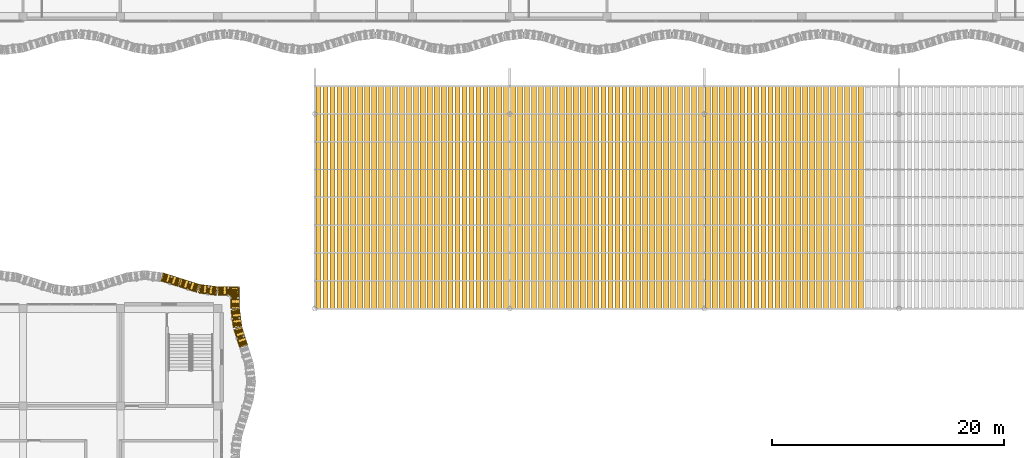
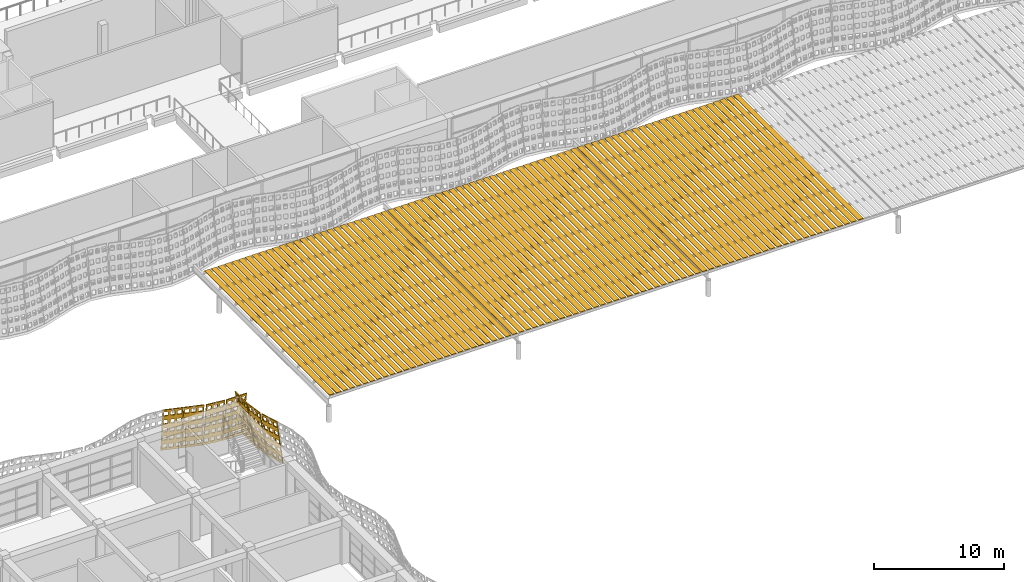
# One storey, part 128 of 162: 79 shading devices, 7 coverings.
"""IFC4 building model written with IfcOpenShell, lengths in metres."""

from ifc_helpers import new_model, si_unit, direction, frame, origin, origin_2d, place, context, subcontext, project, spatial, polyline, rectangle, outline, extrude, material, layer, layer_set, type_object, element, save


model = new_model("IFC4")

# Units and contexts
model_context = context("Model", 3, precision=1e-05, world=origin(), true_north=direction((0.0, 1.0)))
body_context = subcontext(model_context, "Body", "Model", "MODEL_VIEW")
ifc_project = project(units=[si_unit("LENGTHUNIT", "METRE"), si_unit("AREAUNIT", "SQUARE_METRE"), si_unit("VOLUMEUNIT", "CUBIC_METRE"), si_unit("PLANEANGLEUNIT", "RADIAN"), si_unit("MASSUNIT", "GRAM", prefix="KILO")], contexts=[model_context])

# Site, building, storey
site_placement = place(None, origin())
site = spatial("IfcSite", under=ifc_project, at=site_placement, CompositionType="ELEMENT")
building_placement = place(site_placement, origin())
building = spatial("IfcBuilding", under=site, at=building_placement, Name="Rain Tree Exposition and Congress Centre", CompositionType="ELEMENT")
storey_placement = place(building_placement, frame((0.0, 0.0, 6.0)))
storey = spatial("IfcBuildingStorey", under=building, at=storey_placement, Name="L01", CompositionType="ELEMENT", Elevation=6.0)

# Shading devices
ifc_material_1 = material(Name="Terracotta", Category="masonry")
ifc_layer_1 = layer(ifc_material_1, 0.050048828125)
ifc_layer_set_1 = layer_set([ifc_layer_1], Name="Terracotta")
shading_device_type = type_object("IfcShadingDeviceType", Name="Terracotta louvre blade 450x50", PredefinedType="JALOUSIE", material=ifc_layer_set_1)
for number, where, z_axis, x_axis, name in (
    (1, (59.10009765625, 60.0, 2.35009765625), (0.0, 0.0, 1.0), (1.0, 0.0, 0.0), "Canopy louvre 001"),
    (2, (59.699951171875, 60.0, 2.35009765625), (0.0, 0.0, 1.0), (1.0, 0.0, 0.0), "Canopy louvre 002"),
    (3, (60.300048828125, 60.0, 2.35009765625), (0.0, 0.0, 1.0), (1.0, 0.0, 0.0), "Canopy louvre 003"),
    (4, (60.89990234375, 60.0, 2.35009765625), (0.0, 0.0, 1.0), (1.0, 0.0, 0.0), "Canopy louvre 004"),
    (5, (61.5, 60.0, 2.35009765625), (0.0, 0.0, 1.0), (1.0, 0.0, 0.0), "Canopy louvre 005"),
    (6, (62.10009765625, 60.0, 2.35009765625), (0.0, 0.0, 1.0), (1.0, 0.0, 0.0), "Canopy louvre 006"),
    (7, (62.699951171875, 60.0, 2.35009765625), (0.0, 0.0, 1.0), (1.0, 0.0, 0.0), "Canopy louvre 007"),
    (8, (63.300048828125, 60.0, 2.35009765625), (0.0, 0.0, 1.0), (1.0, 0.0, 0.0), "Canopy louvre 008"),
    (9, (63.89990234375, 60.0, 2.35009765625), (0.0, 0.0, 1.0), (1.0, 0.0, 0.0), "Canopy louvre 009"),
    (10, (64.5, 60.0, 2.35009765625), (0.0, 0.0, 1.0), (1.0, 0.0, 0.0), "Canopy louvre 010"),
    (11, (65.10009765625, 60.0, 2.35009765625), (0.0, 0.0, 1.0), (1.0, 0.0, 0.0), "Canopy louvre 011"),
    (12, (65.699951171875, 60.0, 2.35009765625), (0.0, 0.0, 1.0), (1.0, 0.0, 0.0), "Canopy louvre 012"),
    (13, (66.300048828125, 60.0, 2.35009765625), (0.0, 0.0, 1.0), (1.0, 0.0, 0.0), "Canopy louvre 013"),
    (14, (66.89990234375, 60.0, 2.35009765625), (0.0, 0.0, 1.0), (1.0, 0.0, 0.0), "Canopy louvre 014"),
    (15, (67.5, 60.0, 2.35009765625), (0.0, 0.0, 1.0), (1.0, 0.0, 0.0), "Canopy louvre 015"),
    (16, (68.10009765625, 60.0, 2.35009765625), (0.0, 0.0, 1.0), (1.0, 0.0, 0.0), "Canopy louvre 016"),
    (17, (68.699951171875, 60.0, 2.35009765625), (0.0, 0.0, 1.0), (1.0, 0.0, 0.0), "Canopy louvre 017"),
    (18, (69.300048828125, 60.0, 2.35009765625), (0.0, 0.0, 1.0), (1.0, 0.0, 0.0), "Canopy louvre 018"),
    (19, (69.89990234375, 60.0, 2.35009765625), (0.0, 0.0, 1.0), (1.0, 0.0, 0.0), "Canopy louvre 019"),
    (20, (70.5, 60.0, 2.35009765625), (0.0, 0.0, 1.0), (1.0, 0.0, 0.0), "Canopy louvre 020"),
    (21, (71.10009765625, 60.0, 2.35009765625), (0.0, 0.0, 1.0), (1.0, 0.0, 0.0), "Canopy louvre 021"),
    (22, (71.699951171875, 60.0, 2.35009765625), (0.0, 0.0, 1.0), (1.0, 0.0, 0.0), "Canopy louvre 022"),
    (23, (72.300048828125, 60.0, 2.35009765625), (0.0, 0.0, 1.0), (1.0, 0.0, 0.0), "Canopy louvre 023"),
    (24, (72.89990234375, 60.0, 2.35009765625), (0.0, 0.0, 1.0), (1.0, 0.0, 0.0), "Canopy louvre 024"),
    (25, (73.5, 60.0, 2.35009765625), (0.0, 0.0, 1.0), (1.0, 0.0, 0.0), "Canopy louvre 025"),
    (26, (74.10009765625, 60.0, 2.35009765625), (0.0, 0.0, 1.0), (1.0, 0.0, 0.0), "Canopy louvre 026"),
    (27, (74.699951171875, 60.0, 2.35009765625), (0.0, 0.0, 1.0), (1.0, 0.0, 0.0), "Canopy louvre 027"),
    (28, (75.300048828125, 60.0, 2.35009765625), (0.0, 0.0, 1.0), (1.0, 0.0, 0.0), "Canopy louvre 028"),
    (29, (75.89990234375, 60.0, 2.35009765625), (0.0, 0.0, 1.0), (1.0, 0.0, 0.0), "Canopy louvre 029"),
    (30, (76.5, 60.0, 2.35009765625), (0.0, 0.0, 1.0), (1.0, 0.0, 0.0), "Canopy louvre 030"),
    (31, (77.10009765625, 60.0, 2.35009765625), (0.0, 0.0, 1.0), (1.0, 0.0, 0.0), "Canopy louvre 031"),
    (32, (77.699951171875, 60.0, 2.35009765625), (0.0, 0.0, 1.0), (1.0, 0.0, 0.0), "Canopy louvre 032"),
    (33, (78.300048828125, 60.0, 2.35009765625), (0.0, 0.0, 1.0), (1.0, 0.0, 0.0), "Canopy louvre 033"),
    (34, (78.89990234375, 60.0, 2.35009765625), (0.0, 0.0, 1.0), (1.0, 0.0, 0.0), "Canopy louvre 034"),
    (35, (79.5, 60.0, 2.35009765625), (0.0, 0.0, 1.0), (1.0, 0.0, 0.0), "Canopy louvre 035"),
    (36, (80.10009765625, 60.0, 2.35009765625), (0.0, 0.0, 1.0), (1.0, 0.0, 0.0), "Canopy louvre 036"),
    (37, (80.699951171875, 60.0, 2.35009765625), (0.0, 0.0, 1.0), (1.0, 0.0, 0.0), "Canopy louvre 037"),
    (38, (81.300048828125, 60.0, 2.35009765625), (0.0, 0.0, 1.0), (1.0, 0.0, 0.0), "Canopy louvre 038"),
    (39, (81.89990234375, 60.0, 2.35009765625), (0.0, 0.0, 1.0), (1.0, 0.0, 0.0), "Canopy louvre 039"),
    (40, (82.5, 60.0, 2.35009765625), (0.0, 0.0, 1.0), (1.0, 0.0, 0.0), "Canopy louvre 040"),
    (41, (83.10009765625, 60.0, 2.35009765625), (0.0, 0.0, 1.0), (1.0, 0.0, 0.0), "Canopy louvre 041"),
    (42, (83.699951171875, 60.0, 2.35009765625), (0.0, 0.0, 1.0), (1.0, 0.0, 0.0), "Canopy louvre 042"),
    (43, (84.300048828125, 60.0, 2.35009765625), (0.0, 0.0, 1.0), (1.0, 0.0, 0.0), "Canopy louvre 043"),
    (44, (84.89990234375, 60.0, 2.35009765625), (0.0, 0.0, 1.0), (1.0, 0.0, 0.0), "Canopy louvre 044"),
    (45, (85.5, 60.0, 2.35009765625), (0.0, 0.0, 1.0), (1.0, 0.0, 0.0), "Canopy louvre 045"),
    (46, (86.10009765625, 60.0, 2.35009765625), (0.0, 0.0, 1.0), (1.0, 0.0, 0.0), "Canopy louvre 046"),
    (47, (86.699951171875, 60.0, 2.35009765625), (0.0, 0.0, 1.0), (1.0, 0.0, 0.0), "Canopy louvre 047"),
    (48, (87.300048828125, 60.0, 2.35009765625), (0.0, 0.0, 1.0), (1.0, 0.0, 0.0), "Canopy louvre 048"),
    (49, (87.89990234375, 60.0, 2.35009765625), (0.0, 0.0, 1.0), (1.0, 0.0, 0.0), "Canopy louvre 049"),
    (50, (88.5, 60.0, 2.35009765625), (0.0, 0.0, 1.0), (1.0, 0.0, 0.0), "Canopy louvre 050"),
    (51, (89.10009765625, 60.0, 2.35009765625), (0.0, 0.0, 1.0), (1.0, 0.0, 0.0), "Canopy louvre 051"),
    (52, (89.699951171875, 60.0, 2.35009765625), (0.0, 0.0, 1.0), (1.0, 0.0, 0.0), "Canopy louvre 052"),
    (53, (90.300048828125, 60.0, 2.35009765625), (0.0, 0.0, 1.0), (1.0, 0.0, 0.0), "Canopy louvre 053"),
    (54, (90.89990234375, 60.0, 2.35009765625), (0.0, 0.0, 1.0), (1.0, 0.0, 0.0), "Canopy louvre 054"),
    (55, (91.5, 60.0, 2.35009765625), (0.0, 0.0, 1.0), (1.0, 0.0, 0.0), "Canopy louvre 055"),
    (56, (92.10009765625, 60.0, 2.35009765625), (0.0, 0.0, 1.0), (1.0, 0.0, 0.0), "Canopy louvre 056"),
    (57, (92.699951171875, 60.0, 2.35009765625), (0.0, 0.0, 1.0), (1.0, 0.0, 0.0), "Canopy louvre 057"),
    (58, (93.300048828125, 60.0, 2.35009765625), (0.0, 0.0, 1.0), (1.0, 0.0, 0.0), "Canopy louvre 058"),
    (59, (93.89990234375, 60.0, 2.35009765625), (0.0, 0.0, 1.0), (1.0, 0.0, 0.0), "Canopy louvre 059"),
    (60, (94.5, 60.0, 2.35009765625), (0.0, 0.0, 1.0), (1.0, 0.0, 0.0), "Canopy louvre 060"),
    (61, (95.10009765625, 60.0, 2.35009765625), (0.0, 0.0, 1.0), (1.0, 0.0, 0.0), "Canopy louvre 061"),
    (62, (95.699951171875, 60.0, 2.35009765625), (0.0, 0.0, 1.0), (1.0, 0.0, 0.0), "Canopy louvre 062"),
    (63, (96.300048828125, 60.0, 2.35009765625), (0.0, 0.0, 1.0), (1.0, 0.0, 0.0), "Canopy louvre 063"),
    (64, (96.89990234375, 60.0, 2.35009765625), (0.0, 0.0, 1.0), (1.0, 0.0, 0.0), "Canopy louvre 064"),
    (65, (97.5, 60.0, 2.35009765625), (0.0, 0.0, 1.0), (1.0, 0.0, 0.0), "Canopy louvre 065"),
    (66, (98.10009765625, 60.0, 2.35009765625), (0.0, 0.0, 1.0), (1.0, 0.0, 0.0), "Canopy louvre 066"),
    (67, (98.699951171875, 60.0, 2.35009765625), (0.0, 0.0, 1.0), (1.0, 0.0, 0.0), "Canopy louvre 067"),
    (68, (99.300048828125, 60.0, 2.35009765625), (0.0, 0.0, 1.0), (1.0, 0.0, 0.0), "Canopy louvre 068"),
    (69, (99.89990234375, 60.0, 2.35009765625), (0.0, 0.0, 1.0), (1.0, 0.0, 0.0), "Canopy louvre 069"),
    (70, (100.5, 60.0, 2.35009765625), (0.0, 0.0, 1.0), (1.0, 0.0, 0.0), "Canopy louvre 070"),
    (71, (101.10009765625, 60.0, 2.35009765625), (0.0, 0.0, 1.0), (1.0, 0.0, 0.0), "Canopy louvre 071"),
    (72, (101.699951171875, 60.0, 2.35009765625), (0.0, 0.0, 1.0), (1.0, 0.0, 0.0), "Canopy louvre 072"),
    (73, (102.300048828125, 60.0, 2.35009765625), (0.0, 0.0, 1.0), (1.0, 0.0, 0.0), "Canopy louvre 073"),
    (74, (102.89990234375, 60.0, 2.35009765625), (0.0, 0.0, 1.0), (1.0, 0.0, 0.0), "Canopy louvre 074"),
    (75, (103.5, 60.0, 2.35009765625), (0.0, 0.0, 1.0), (1.0, 0.0, 0.0), "Canopy louvre 075"),
    (76, (104.10009765625, 60.0, 2.35009765625), (0.0, 0.0, 1.0), (1.0, 0.0, 0.0), "Canopy louvre 076"),
    (77, (104.699951171875, 60.0, 2.35009765625), (0.0, 0.0, 1.0), (1.0, 0.0, 0.0), "Canopy louvre 077"),
    (78, (105.300048828125, 60.0, 2.35009765625), (0.0, 0.0, 1.0), (1.0, 0.0, 0.0), "Canopy louvre 078"),
    (79, (105.89990234375, 60.0, 2.35009765625), (0.0, 0.0, 1.0), (1.0, 0.0, 0.0), "Canopy louvre 079"),
):
    element("IfcShadingDevice", number, at=place(storey_placement, frame(where, z_axis=z_axis, x_axis=x_axis)), inside=storey, type_object=shading_device_type, Name=name, PredefinedType="JALOUSIE", context=body_context, shape_type="SweptSolid", body=[
        extrude(rectangle(XDim=0.449951171875, YDim=19.199951171875, at=origin_2d()), origin(), (0.0, 0.0, 1.0), 0.050048828125),
    ])

# Coverings
ifc_material_2 = material(Name="Perforated terracotta", Category="masonry")
ifc_layer_2 = layer(ifc_material_2, 0.080078125)
ifc_layer_set_2 = layer_set([ifc_layer_2], Name="Perforated terracotta")
covering_type = type_object("IfcCoveringType", Name="Terracotta screen 80", PredefinedType="CLADDING", material=ifc_layer_set_2)
covering_1_placement = place(storey_placement, frame((52.998291015625, 47.24951171875, 0.0126953125), z_axis=(-0.940827598844, -0.299354235996, -0.158841023181), x_axis=(0.303203657277, -0.952925780013, 0.0)))
element("IfcCovering", 80, at=covering_1_placement, inside=storey, type_object=covering_type, Name="wing/screen/L01/065", PredefinedType="CLADDING", context=body_context, shape_type="SweptSolid", body=[
    extrude(outline(polyline([(-1.635986328125, 0.0), (-1.635986328125, 4.291259765625), (-0.014892578125, 4.291259765625), (-0.014892578125, 0.0), (-1.635986328125, 0.0)]), holes=[polyline([(-0.11767578125, 0.221435546875), (-0.11767578125, 0.63671875), (-0.45263671875, 0.63671875), (-0.45263671875, 0.221435546875), (-0.11767578125, 0.221435546875)]), polyline([(-0.11767578125, 1.07958984375), (-0.11767578125, 1.4951171875), (-0.45263671875, 1.4951171875), (-0.45263671875, 1.07958984375), (-0.11767578125, 1.07958984375)]), polyline([(-0.11767578125, 1.93798828125), (-0.11767578125, 2.353271484375), (-0.45263671875, 2.353271484375), (-0.45263671875, 1.93798828125), (-0.11767578125, 1.93798828125)]), polyline([(-0.11767578125, 2.796142578125), (-0.11767578125, 3.21142578125), (-0.45263671875, 3.21142578125), (-0.45263671875, 2.796142578125), (-0.11767578125, 2.796142578125)]), polyline([(-0.11767578125, 3.654541015625), (-0.11767578125, 4.06982421875), (-0.45263671875, 4.06982421875), (-0.45263671875, 3.654541015625), (-0.11767578125, 3.654541015625)]), polyline([(-0.657958984375, 0.221435546875), (-0.657958984375, 0.63671875), (-0.992919921875, 0.63671875), (-0.992919921875, 0.221435546875), (-0.657958984375, 0.221435546875)]), polyline([(-0.657958984375, 1.07958984375), (-0.657958984375, 1.4951171875), (-0.992919921875, 1.4951171875), (-0.992919921875, 1.07958984375), (-0.657958984375, 1.07958984375)]), polyline([(-0.657958984375, 1.93798828125), (-0.657958984375, 2.353271484375), (-0.992919921875, 2.353271484375), (-0.992919921875, 1.93798828125), (-0.657958984375, 1.93798828125)]), polyline([(-0.657958984375, 2.796142578125), (-0.657958984375, 3.21142578125), (-0.992919921875, 3.21142578125), (-0.992919921875, 2.796142578125), (-0.657958984375, 2.796142578125)]), polyline([(-0.657958984375, 3.654541015625), (-0.657958984375, 4.06982421875), (-0.992919921875, 4.06982421875), (-0.992919921875, 3.654541015625), (-0.657958984375, 3.654541015625)]), polyline([(-1.1982421875, 0.221435546875), (-1.1982421875, 0.63671875), (-1.533203125, 0.63671875), (-1.533203125, 0.221435546875), (-1.1982421875, 0.221435546875)]), polyline([(-1.1982421875, 1.07958984375), (-1.1982421875, 1.4951171875), (-1.533203125, 1.4951171875), (-1.533203125, 1.07958984375), (-1.1982421875, 1.07958984375)]), polyline([(-1.1982421875, 1.93798828125), (-1.1982421875, 2.353271484375), (-1.533203125, 2.353271484375), (-1.533203125, 1.93798828125), (-1.1982421875, 1.93798828125)]), polyline([(-1.1982421875, 2.796142578125), (-1.1982421875, 3.21142578125), (-1.533203125, 3.21142578125), (-1.533203125, 2.796142578125), (-1.1982421875, 2.796142578125)]), polyline([(-1.1982421875, 3.654541015625), (-1.1982421875, 4.06982421875), (-1.533203125, 4.06982421875), (-1.533203125, 3.654541015625), (-1.1982421875, 3.654541015625)])]), origin(), (0.0, 0.0, 1.0), 0.079833984375),
])
covering_2_placement = place(storey_placement, frame((52.503173828125, 48.82470703125, 0.01318359375), z_axis=(-0.978036007662, -0.127967328105, -0.16452942185), x_axis=(0.129735338481, -0.991548658387, 0.0)))
element("IfcCovering", 81, at=covering_2_placement, inside=storey, type_object=covering_type, Name="wing/screen/L01/066", PredefinedType="CLADDING", context=body_context, shape_type="SweptSolid", body=[
    extrude(outline(polyline([(-1.5732421875, 0.0), (-1.5732421875, 4.295166015625), (-0.014892578125, 4.295166015625), (-0.014892578125, 0.0), (-1.5732421875, 0.0)]), holes=[polyline([(-0.11376953125, 0.2216796875), (-0.11376953125, 0.63720703125), (-0.435791015625, 0.63720703125), (-0.435791015625, 0.2216796875), (-0.11376953125, 0.2216796875)]), polyline([(-0.11376953125, 1.080810546875), (-0.11376953125, 1.496337890625), (-0.435791015625, 1.496337890625), (-0.435791015625, 1.080810546875), (-0.11376953125, 1.080810546875)]), polyline([(-0.11376953125, 1.939697265625), (-0.11376953125, 2.35546875), (-0.435791015625, 2.35546875), (-0.435791015625, 1.939697265625), (-0.11376953125, 1.939697265625)]), polyline([(-0.11376953125, 2.798583984375), (-0.11376953125, 3.21435546875), (-0.435791015625, 3.21435546875), (-0.435791015625, 2.798583984375), (-0.11376953125, 2.798583984375)]), polyline([(-0.11376953125, 3.65771484375), (-0.11376953125, 4.073486328125), (-0.435791015625, 4.073486328125), (-0.435791015625, 3.65771484375), (-0.11376953125, 3.65771484375)]), polyline([(-0.633056640625, 0.2216796875), (-0.633056640625, 0.63720703125), (-0.955078125, 0.63720703125), (-0.955078125, 0.2216796875), (-0.633056640625, 0.2216796875)]), polyline([(-0.633056640625, 1.080810546875), (-0.633056640625, 1.496337890625), (-0.955078125, 1.496337890625), (-0.955078125, 1.080810546875), (-0.633056640625, 1.080810546875)]), polyline([(-0.633056640625, 1.939697265625), (-0.633056640625, 2.35546875), (-0.955078125, 2.35546875), (-0.955078125, 1.939697265625), (-0.633056640625, 1.939697265625)]), polyline([(-0.633056640625, 2.798583984375), (-0.633056640625, 3.21435546875), (-0.955078125, 3.21435546875), (-0.955078125, 2.798583984375), (-0.633056640625, 2.798583984375)]), polyline([(-0.633056640625, 3.65771484375), (-0.633056640625, 4.073486328125), (-0.955078125, 4.073486328125), (-0.955078125, 3.65771484375), (-0.633056640625, 3.65771484375)]), polyline([(-1.152587890625, 0.2216796875), (-1.152587890625, 0.63720703125), (-1.474609375, 0.63720703125), (-1.474609375, 0.2216796875), (-1.152587890625, 0.2216796875)]), polyline([(-1.152587890625, 1.080810546875), (-1.152587890625, 1.496337890625), (-1.474609375, 1.496337890625), (-1.474609375, 1.080810546875), (-1.152587890625, 1.080810546875)]), polyline([(-1.152587890625, 1.939697265625), (-1.152587890625, 2.35546875), (-1.474609375, 2.35546875), (-1.474609375, 1.939697265625), (-1.152587890625, 1.939697265625)]), polyline([(-1.152587890625, 2.798583984375), (-1.152587890625, 3.21435546875), (-1.474609375, 3.21435546875), (-1.474609375, 2.798583984375), (-1.152587890625, 2.798583984375)]), polyline([(-1.152587890625, 3.65771484375), (-1.152587890625, 4.073486328125), (-1.474609375, 4.073486328125), (-1.474609375, 3.65771484375), (-1.152587890625, 3.65771484375)])]), origin(), (0.0, 0.0, 1.0), 0.080078125),
])
covering_3_placement = place(storey_placement, frame((52.298095703125, 50.39990234375, 0.01318359375), z_axis=(-0.986311269939, 0.0, -0.1648941442), x_axis=(0.0, -1.0, 0.0)))
element("IfcCovering", 82, at=covering_3_placement, inside=storey, type_object=covering_type, Name="wing/screen/L01/067", PredefinedType="CLADDING", context=body_context, shape_type="SweptSolid", body=[
    extrude(outline(polyline([(-1.805419921875, 0.0), (-1.805419921875, 4.2958984375), (-0.014892578125, 4.2958984375), (-0.014892578125, 0.0), (-1.805419921875, 0.0)]), holes=[polyline([(-0.12841796875, 0.2216796875), (-0.12841796875, 0.637451171875), (-0.498291015625, 0.637451171875), (-0.498291015625, 0.2216796875), (-0.12841796875, 0.2216796875)]), polyline([(-0.12841796875, 1.080810546875), (-0.12841796875, 1.49658203125), (-0.498291015625, 1.49658203125), (-0.498291015625, 1.080810546875), (-0.12841796875, 1.080810546875)]), polyline([(-0.12841796875, 1.940185546875), (-0.12841796875, 2.355712890625), (-0.498291015625, 2.355712890625), (-0.498291015625, 1.940185546875), (-0.12841796875, 1.940185546875)]), polyline([(-0.12841796875, 2.79931640625), (-0.12841796875, 3.215087890625), (-0.498291015625, 3.215087890625), (-0.498291015625, 2.79931640625), (-0.12841796875, 2.79931640625)]), polyline([(-0.12841796875, 3.658447265625), (-0.12841796875, 4.07421875), (-0.498291015625, 4.07421875), (-0.498291015625, 3.658447265625), (-0.12841796875, 3.658447265625)]), polyline([(-0.72509765625, 0.2216796875), (-0.72509765625, 0.637451171875), (-1.09521484375, 0.637451171875), (-1.09521484375, 0.2216796875), (-0.72509765625, 0.2216796875)]), polyline([(-0.72509765625, 1.080810546875), (-0.72509765625, 1.49658203125), (-1.09521484375, 1.49658203125), (-1.09521484375, 1.080810546875), (-0.72509765625, 1.080810546875)]), polyline([(-0.72509765625, 1.940185546875), (-0.72509765625, 2.355712890625), (-1.09521484375, 2.355712890625), (-1.09521484375, 1.940185546875), (-0.72509765625, 1.940185546875)]), polyline([(-0.72509765625, 2.79931640625), (-0.72509765625, 3.215087890625), (-1.09521484375, 3.215087890625), (-1.09521484375, 2.79931640625), (-0.72509765625, 2.79931640625)]), polyline([(-0.72509765625, 3.658447265625), (-0.72509765625, 4.07421875), (-1.09521484375, 4.07421875), (-1.09521484375, 3.658447265625), (-0.72509765625, 3.658447265625)]), polyline([(-1.322021484375, 0.2216796875), (-1.322021484375, 0.637451171875), (-1.69189453125, 0.637451171875), (-1.69189453125, 0.2216796875), (-1.322021484375, 0.2216796875)]), polyline([(-1.322021484375, 1.080810546875), (-1.322021484375, 1.49658203125), (-1.69189453125, 1.49658203125), (-1.69189453125, 1.080810546875), (-1.322021484375, 1.080810546875)]), polyline([(-1.322021484375, 1.940185546875), (-1.322021484375, 2.355712890625), (-1.69189453125, 2.355712890625), (-1.69189453125, 1.940185546875), (-1.322021484375, 1.940185546875)]), polyline([(-1.322021484375, 2.79931640625), (-1.322021484375, 3.215087890625), (-1.69189453125, 3.215087890625), (-1.69189453125, 2.79931640625), (-1.322021484375, 2.79931640625)]), polyline([(-1.322021484375, 3.658447265625), (-1.322021484375, 4.07421875), (-1.69189453125, 4.07421875), (-1.69189453125, 3.658447265625), (-1.322021484375, 3.658447265625)])]), origin(), (0.0, 0.0, 1.0), 0.079833984375),
])
covering_4_placement = place(storey_placement, frame((52.30029296875, 52.298095703125, 0.01318359375), z_axis=(0.0, -0.986311269939, -0.1648941442), x_axis=(1.0, 0.0, 0.0)))
element("IfcCovering", 83, at=covering_4_placement, inside=storey, type_object=covering_type, Name="wing/screen/L01/068", PredefinedType="CLADDING", context=body_context, shape_type="SweptSolid", body=[
    extrude(outline(polyline([(-1.88525390625, 0.0), (-1.88525390625, 4.2958984375), (-0.094970703125, 4.2958984375), (-0.094970703125, 0.0), (-1.88525390625, 0.0)]), holes=[polyline([(-0.20849609375, 0.2216796875), (-0.20849609375, 0.637451171875), (-0.578369140625, 0.637451171875), (-0.578369140625, 0.2216796875), (-0.20849609375, 0.2216796875)]), polyline([(-0.20849609375, 1.080810546875), (-0.20849609375, 1.49658203125), (-0.578369140625, 1.49658203125), (-0.578369140625, 1.080810546875), (-0.20849609375, 1.080810546875)]), polyline([(-0.20849609375, 1.940185546875), (-0.20849609375, 2.355712890625), (-0.578369140625, 2.355712890625), (-0.578369140625, 1.940185546875), (-0.20849609375, 1.940185546875)]), polyline([(-0.20849609375, 2.79931640625), (-0.20849609375, 3.215087890625), (-0.578369140625, 3.215087890625), (-0.578369140625, 2.79931640625), (-0.20849609375, 2.79931640625)]), polyline([(-0.20849609375, 3.658447265625), (-0.20849609375, 4.07421875), (-0.578369140625, 4.07421875), (-0.578369140625, 3.658447265625), (-0.20849609375, 3.658447265625)]), polyline([(-0.80517578125, 0.2216796875), (-0.80517578125, 0.637451171875), (-1.175048828125, 0.637451171875), (-1.175048828125, 0.2216796875), (-0.80517578125, 0.2216796875)]), polyline([(-0.80517578125, 1.080810546875), (-0.80517578125, 1.49658203125), (-1.175048828125, 1.49658203125), (-1.175048828125, 1.080810546875), (-0.80517578125, 1.080810546875)]), polyline([(-0.80517578125, 1.940185546875), (-0.80517578125, 2.355712890625), (-1.175048828125, 2.355712890625), (-1.175048828125, 1.940185546875), (-0.80517578125, 1.940185546875)]), polyline([(-0.80517578125, 2.79931640625), (-0.80517578125, 3.215087890625), (-1.175048828125, 3.215087890625), (-1.175048828125, 2.79931640625), (-0.80517578125, 2.79931640625)]), polyline([(-0.80517578125, 3.658447265625), (-0.80517578125, 4.07421875), (-1.175048828125, 4.07421875), (-1.175048828125, 3.658447265625), (-0.80517578125, 3.658447265625)]), polyline([(-1.40185546875, 0.2216796875), (-1.40185546875, 0.637451171875), (-1.77197265625, 0.637451171875), (-1.77197265625, 0.2216796875), (-1.40185546875, 0.2216796875)]), polyline([(-1.40185546875, 1.080810546875), (-1.40185546875, 1.49658203125), (-1.77197265625, 1.49658203125), (-1.77197265625, 1.080810546875), (-1.40185546875, 1.080810546875)]), polyline([(-1.40185546875, 1.940185546875), (-1.40185546875, 2.355712890625), (-1.77197265625, 2.355712890625), (-1.77197265625, 1.940185546875), (-1.40185546875, 1.940185546875)]), polyline([(-1.40185546875, 2.79931640625), (-1.40185546875, 3.215087890625), (-1.77197265625, 3.215087890625), (-1.77197265625, 2.79931640625), (-1.40185546875, 2.79931640625)]), polyline([(-1.40185546875, 3.658447265625), (-1.40185546875, 4.07421875), (-1.77197265625, 4.07421875), (-1.77197265625, 3.658447265625), (-1.40185546875, 3.658447265625)])]), origin(), (0.0, 0.0, 1.0), 0.079833984375),
])
covering_5_placement = place(storey_placement, frame((50.399658203125, 52.298095703125, 0.01318359375), z_axis=(-0.128349774249, -0.9779030419, -0.165021138321), x_axis=(0.991496427865, -0.130133906157, 0.0)))
element("IfcCovering", 84, at=covering_5_placement, inside=storey, type_object=covering_type, Name="wing/screen/L01/069", PredefinedType="CLADDING", context=body_context, shape_type="SweptSolid", body=[
    extrude(outline(polyline([(-1.5732421875, 0.0), (-1.5732421875, 4.295166015625), (-0.014892578125, 4.295166015625), (-0.014892578125, 0.0), (-1.5732421875, 0.0)]), holes=[polyline([(-0.11376953125, 0.2216796875), (-0.11376953125, 0.63720703125), (-0.435791015625, 0.63720703125), (-0.435791015625, 0.2216796875), (-0.11376953125, 0.2216796875)]), polyline([(-0.11376953125, 1.080810546875), (-0.11376953125, 1.496337890625), (-0.435791015625, 1.496337890625), (-0.435791015625, 1.080810546875), (-0.11376953125, 1.080810546875)]), polyline([(-0.11376953125, 1.939697265625), (-0.11376953125, 2.35546875), (-0.435791015625, 2.35546875), (-0.435791015625, 1.939697265625), (-0.11376953125, 1.939697265625)]), polyline([(-0.11376953125, 2.798583984375), (-0.11376953125, 3.21435546875), (-0.435791015625, 3.21435546875), (-0.435791015625, 2.798583984375), (-0.11376953125, 2.798583984375)]), polyline([(-0.11376953125, 3.65771484375), (-0.11376953125, 4.073486328125), (-0.435791015625, 4.073486328125), (-0.435791015625, 3.65771484375), (-0.11376953125, 3.65771484375)]), polyline([(-0.633056640625, 0.2216796875), (-0.633056640625, 0.63720703125), (-0.955078125, 0.63720703125), (-0.955078125, 0.2216796875), (-0.633056640625, 0.2216796875)]), polyline([(-0.633056640625, 1.080810546875), (-0.633056640625, 1.496337890625), (-0.955078125, 1.496337890625), (-0.955078125, 1.080810546875), (-0.633056640625, 1.080810546875)]), polyline([(-0.633056640625, 1.939697265625), (-0.633056640625, 2.35546875), (-0.955078125, 2.35546875), (-0.955078125, 1.939697265625), (-0.633056640625, 1.939697265625)]), polyline([(-0.633056640625, 2.798583984375), (-0.633056640625, 3.21435546875), (-0.955078125, 3.21435546875), (-0.955078125, 2.798583984375), (-0.633056640625, 2.798583984375)]), polyline([(-0.633056640625, 3.65771484375), (-0.633056640625, 4.073486328125), (-0.955078125, 4.073486328125), (-0.955078125, 3.65771484375), (-0.633056640625, 3.65771484375)]), polyline([(-1.152587890625, 0.2216796875), (-1.152587890625, 0.63720703125), (-1.474609375, 0.63720703125), (-1.474609375, 0.2216796875), (-1.152587890625, 0.2216796875)]), polyline([(-1.152587890625, 1.080810546875), (-1.152587890625, 1.496337890625), (-1.474609375, 1.496337890625), (-1.474609375, 1.080810546875), (-1.152587890625, 1.080810546875)]), polyline([(-1.152587890625, 1.939697265625), (-1.152587890625, 2.35546875), (-1.474609375, 2.35546875), (-1.474609375, 1.939697265625), (-1.152587890625, 1.939697265625)]), polyline([(-1.152587890625, 2.798583984375), (-1.152587890625, 3.21435546875), (-1.474609375, 3.21435546875), (-1.474609375, 2.798583984375), (-1.152587890625, 2.798583984375)]), polyline([(-1.152587890625, 3.65771484375), (-1.152587890625, 4.073486328125), (-1.474609375, 4.073486328125), (-1.474609375, 3.65771484375), (-1.152587890625, 3.65771484375)])]), origin(), (0.0, 0.0, 1.0), 0.079833984375),
])
covering_6_placement = place(storey_placement, frame((48.824462890625, 52.50341796875, 0.0126953125), z_axis=(-0.295717964052, -0.942029390639, -0.158529217842), x_axis=(0.954094597562, -0.29950542383, 0.0)))
element("IfcCovering", 85, at=covering_6_placement, inside=storey, type_object=covering_type, Name="wing/screen/L01/070", PredefinedType="CLADDING", context=body_context, shape_type="SweptSolid", body=[
    extrude(outline(polyline([(-1.635986328125, 0.0), (-1.635986328125, 4.291259765625), (-0.014892578125, 4.291259765625), (-0.014892578125, 0.0), (-1.635986328125, 0.0)]), holes=[polyline([(-0.11767578125, 0.221435546875), (-0.11767578125, 0.63671875), (-0.45263671875, 0.63671875), (-0.45263671875, 0.221435546875), (-0.11767578125, 0.221435546875)]), polyline([(-0.11767578125, 1.07958984375), (-0.11767578125, 1.4951171875), (-0.45263671875, 1.4951171875), (-0.45263671875, 1.07958984375), (-0.11767578125, 1.07958984375)]), polyline([(-0.11767578125, 1.93798828125), (-0.11767578125, 2.353271484375), (-0.45263671875, 2.353271484375), (-0.45263671875, 1.93798828125), (-0.11767578125, 1.93798828125)]), polyline([(-0.11767578125, 2.796142578125), (-0.11767578125, 3.21142578125), (-0.45263671875, 3.21142578125), (-0.45263671875, 2.796142578125), (-0.11767578125, 2.796142578125)]), polyline([(-0.11767578125, 3.654541015625), (-0.11767578125, 4.06982421875), (-0.45263671875, 4.06982421875), (-0.45263671875, 3.654541015625), (-0.11767578125, 3.654541015625)]), polyline([(-0.657958984375, 0.221435546875), (-0.657958984375, 0.63671875), (-0.992919921875, 0.63671875), (-0.992919921875, 0.221435546875), (-0.657958984375, 0.221435546875)]), polyline([(-0.657958984375, 1.07958984375), (-0.657958984375, 1.4951171875), (-0.992919921875, 1.4951171875), (-0.992919921875, 1.07958984375), (-0.657958984375, 1.07958984375)]), polyline([(-0.657958984375, 1.93798828125), (-0.657958984375, 2.353271484375), (-0.992919921875, 2.353271484375), (-0.992919921875, 1.93798828125), (-0.657958984375, 1.93798828125)]), polyline([(-0.657958984375, 2.796142578125), (-0.657958984375, 3.21142578125), (-0.992919921875, 3.21142578125), (-0.992919921875, 2.796142578125), (-0.657958984375, 2.796142578125)]), polyline([(-0.657958984375, 3.654541015625), (-0.657958984375, 4.06982421875), (-0.992919921875, 4.06982421875), (-0.992919921875, 3.654541015625), (-0.657958984375, 3.654541015625)]), polyline([(-1.1982421875, 0.221435546875), (-1.1982421875, 0.63671875), (-1.533203125, 0.63671875), (-1.533203125, 0.221435546875), (-1.1982421875, 0.221435546875)]), polyline([(-1.1982421875, 1.07958984375), (-1.1982421875, 1.4951171875), (-1.533203125, 1.4951171875), (-1.533203125, 1.07958984375), (-1.1982421875, 1.07958984375)]), polyline([(-1.1982421875, 1.93798828125), (-1.1982421875, 2.353271484375), (-1.533203125, 2.353271484375), (-1.533203125, 1.93798828125), (-1.1982421875, 1.93798828125)]), polyline([(-1.1982421875, 2.796142578125), (-1.1982421875, 3.21142578125), (-1.533203125, 3.21142578125), (-1.533203125, 2.796142578125), (-1.1982421875, 2.796142578125)]), polyline([(-1.1982421875, 3.654541015625), (-1.1982421875, 4.06982421875), (-1.533203125, 4.06982421875), (-1.533203125, 3.654541015625), (-1.1982421875, 3.654541015625)])]), origin(), (0.0, 0.0, 1.0), 0.080078125),
])
covering_7_placement = place(storey_placement, frame((47.24951171875, 52.998291015625, 0.0126953125), z_axis=(-0.299354235996, -0.940827598844, -0.158841023181), x_axis=(0.952925780013, -0.303203657277, 0.0)))
element("IfcCovering", 86, at=covering_7_placement, inside=storey, type_object=covering_type, Name="wing/screen/L01/071", PredefinedType="CLADDING", context=body_context, shape_type="SweptSolid", body=[
    extrude(outline(polyline([(-1.62890625, 0.0), (-1.62890625, 4.291259765625), (-0.014892578125, 4.291259765625), (-0.014892578125, 0.0), (-1.62890625, 0.0)]), holes=[polyline([(-0.1171875, 0.221435546875), (-0.1171875, 0.63671875), (-0.45068359375, 0.63671875), (-0.45068359375, 0.221435546875), (-0.1171875, 0.221435546875)]), polyline([(-0.1171875, 1.07958984375), (-0.1171875, 1.4951171875), (-0.45068359375, 1.4951171875), (-0.45068359375, 1.07958984375), (-0.1171875, 1.07958984375)]), polyline([(-0.1171875, 1.93798828125), (-0.1171875, 2.353271484375), (-0.45068359375, 2.353271484375), (-0.45068359375, 1.93798828125), (-0.1171875, 1.93798828125)]), polyline([(-0.1171875, 2.796142578125), (-0.1171875, 3.21142578125), (-0.45068359375, 3.21142578125), (-0.45068359375, 2.796142578125), (-0.1171875, 2.796142578125)]), polyline([(-0.1171875, 3.654541015625), (-0.1171875, 4.06982421875), (-0.45068359375, 4.06982421875), (-0.45068359375, 3.654541015625), (-0.1171875, 3.654541015625)]), polyline([(-0.6552734375, 0.221435546875), (-0.6552734375, 0.63671875), (-0.98876953125, 0.63671875), (-0.98876953125, 0.221435546875), (-0.6552734375, 0.221435546875)]), polyline([(-0.6552734375, 1.07958984375), (-0.6552734375, 1.4951171875), (-0.98876953125, 1.4951171875), (-0.98876953125, 1.07958984375), (-0.6552734375, 1.07958984375)]), polyline([(-0.6552734375, 1.93798828125), (-0.6552734375, 2.353271484375), (-0.98876953125, 2.353271484375), (-0.98876953125, 1.93798828125), (-0.6552734375, 1.93798828125)]), polyline([(-0.6552734375, 2.796142578125), (-0.6552734375, 3.21142578125), (-0.98876953125, 3.21142578125), (-0.98876953125, 2.796142578125), (-0.6552734375, 2.796142578125)]), polyline([(-0.6552734375, 3.654541015625), (-0.6552734375, 4.06982421875), (-0.98876953125, 4.06982421875), (-0.98876953125, 3.654541015625), (-0.6552734375, 3.654541015625)]), polyline([(-1.193115234375, 0.221435546875), (-1.193115234375, 0.63671875), (-1.526611328125, 0.63671875), (-1.526611328125, 0.221435546875), (-1.193115234375, 0.221435546875)]), polyline([(-1.193115234375, 1.07958984375), (-1.193115234375, 1.4951171875), (-1.526611328125, 1.4951171875), (-1.526611328125, 1.07958984375), (-1.193115234375, 1.07958984375)]), polyline([(-1.193115234375, 1.93798828125), (-1.193115234375, 2.353271484375), (-1.526611328125, 2.353271484375), (-1.526611328125, 1.93798828125), (-1.193115234375, 1.93798828125)]), polyline([(-1.193115234375, 2.796142578125), (-1.193115234375, 3.21142578125), (-1.526611328125, 3.21142578125), (-1.526611328125, 2.796142578125), (-1.193115234375, 2.796142578125)]), polyline([(-1.193115234375, 3.654541015625), (-1.193115234375, 4.06982421875), (-1.526611328125, 4.06982421875), (-1.526611328125, 3.654541015625), (-1.193115234375, 3.654541015625)])]), origin(), (0.0, 0.0, 1.0), 0.079833984375),
])

save(model, "model.ifc")
